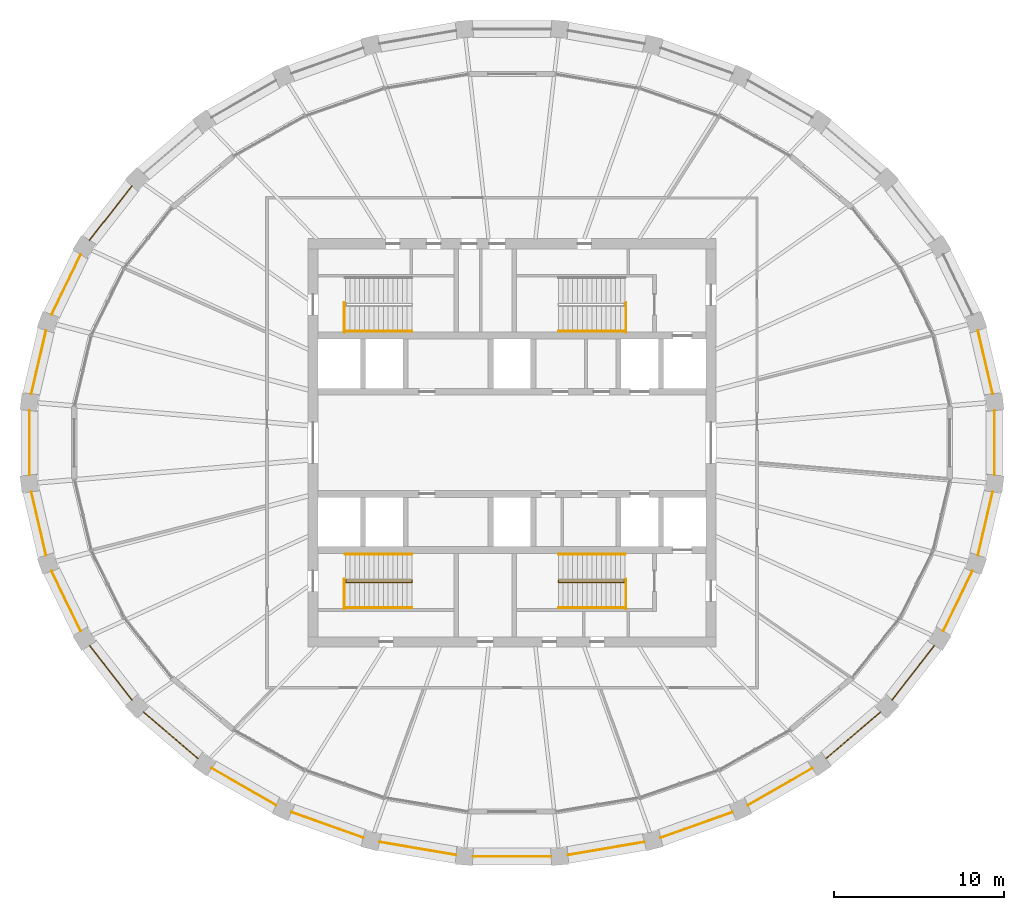
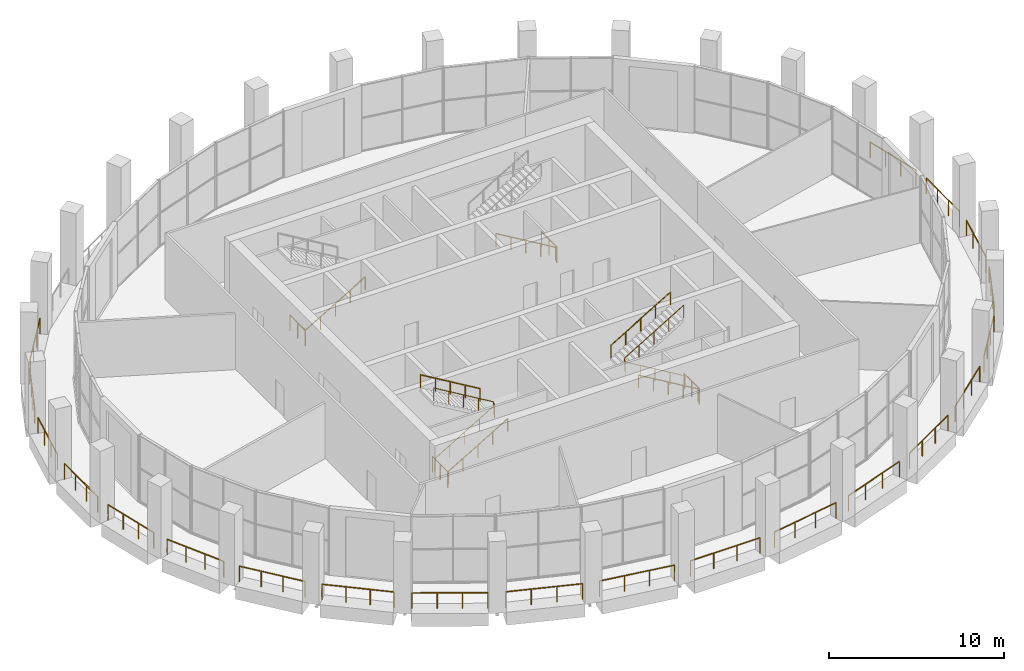
# One storey, part 14 of 15: 33 railings.
"""IFC4 building model written with IfcOpenShell, lengths in metres."""

from ifc_helpers import new_model, si_unit, direction, frame, origin, origin_2d, place, context, subcontext, project, spatial, circle, extrude, material, type_object, element, save


model = new_model("IFC4")

# Units and contexts
model_context = context("Model", 3, precision=1e-05, world=origin(), true_north=direction((0.0, 1.0)))
body_context = subcontext(model_context, "Body", "Model", "MODEL_VIEW")
ifc_project = project(units=[si_unit("LENGTHUNIT", "METRE"), si_unit("AREAUNIT", "SQUARE_METRE"), si_unit("VOLUMEUNIT", "CUBIC_METRE"), si_unit("PLANEANGLEUNIT", "RADIAN"), si_unit("MASSUNIT", "GRAM", prefix="KILO")], contexts=[model_context])

# Site, building, storey
site_placement = place(None, origin())
site = spatial("IfcSite", under=ifc_project, at=site_placement, CompositionType="ELEMENT")
building_placement = place(site_placement, origin())
building = spatial("IfcBuilding", under=site, at=building_placement, Name="Halqa Exchange Tower", CompositionType="ELEMENT")
storey_placement = place(building_placement, frame((0.0, 0.0, 338.300048828125)))
storey = spatial("IfcBuildingStorey", under=building, at=storey_placement, Name="L79", CompositionType="ELEMENT", Elevation=338.300048828125)

# Railings
ifc_material = material(Name="Stainless steel", Category="steel")
railing_type_1 = type_object("IfcRailingType", Name="Guard 1100 stainless steel", PredefinedType="GUARDRAIL", material=ifc_material)
railing_1_placement = place(storey_placement, frame((28.249755859375, 2.881591796875, 0.0)))
element("IfcRailing", 1, at=railing_1_placement, inside=storey, type_object=railing_type_1, Name="Loggia guard 1", PredefinedType="GUARDRAIL", context=body_context, shape_type="SweptSolid", body=[
    extrude(circle(Radius=0.02392578125, at=origin_2d()), frame((0.0, 0.0, 1.076171875), z_axis=(-0.226100478953, 0.97410398491, 0.0), x_axis=(-0.97410398491, -0.226100478953, 0.0)), (0.0, 0.0, 1.0), 3.8212890625),
    extrude(circle(Radius=0.02099609375, at=origin_2d()), origin(), (0.0, 0.0, 1.0), 1.052001953125),
    extrude(circle(Radius=0.02099609375, at=origin_2d()), frame((-0.2880859375, 1.24072265625, 0.0)), (0.0, 0.0, 1.0), 1.052001953125),
    extrude(circle(Radius=0.02099609375, at=origin_2d()), frame((-0.575927734375, 2.481689453125, 0.0)), (0.0, 0.0, 1.0), 1.052001953125),
    extrude(circle(Radius=0.02099609375, at=origin_2d()), frame((-0.864013671875, 3.722412109375, 0.0)), (0.0, 0.0, 1.0), 1.052001953125),
])
railing_2_placement = place(storey_placement, frame((-22.338134765625, 15.10302734375, 0.0)))
element("IfcRailing", 2, at=railing_2_placement, inside=storey, type_object=railing_type_1, Name="Loggia guard 13", PredefinedType="GUARDRAIL", context=body_context, shape_type="SweptSolid", body=[
    extrude(circle(Radius=0.02392578125, at=origin_2d()), frame((0.0, 0.0, 1.076171875), z_axis=(-0.614821078368, -0.788666622594, 0.0), x_axis=(0.788666622594, -0.614821078368, 0.0)), (0.0, 0.0, 1.0), 4.048828125),
    extrude(circle(Radius=0.02099609375, at=origin_2d()), origin(), (0.0, 0.0, 1.0), 1.052001953125),
    extrude(circle(Radius=0.02099609375, at=origin_2d()), frame((-0.829833984375, -1.064453125, 0.0)), (0.0, 0.0, 1.0), 1.052001953125),
    extrude(circle(Radius=0.02099609375, at=origin_2d()), frame((-1.659423828125, -2.128662109375, 0.0)), (0.0, 0.0, 1.0), 1.052001953125),
    extrude(circle(Radius=0.02099609375, at=origin_2d()), frame((-2.4892578125, -3.193115234375, 0.0)), (0.0, 0.0, 1.0), 1.052001953125),
])
railing_3_placement = place(storey_placement, frame((-25.352294921875, 11.0654296875, 0.0)))
element("IfcRailing", 3, at=railing_3_placement, inside=storey, type_object=railing_type_1, Name="Loggia guard 14", PredefinedType="GUARDRAIL", context=body_context, shape_type="SweptSolid", body=[
    extrude(circle(Radius=0.02392578125, at=origin_2d()), frame((0.0, 0.0, 1.076171875), z_axis=(-0.435146748862, -0.900359543158, 0.0), x_axis=(0.900359543158, -0.435146748862, 0.0)), (0.0, 0.0, 1.0), 3.913818359375),
    extrude(circle(Radius=0.02099609375, at=origin_2d()), origin(), (0.0, 0.0, 1.0), 1.052001953125),
    extrude(circle(Radius=0.02099609375, at=origin_2d()), frame((-0.567626953125, -1.174560546875, 0.0)), (0.0, 0.0, 1.0), 1.052001953125),
    extrude(circle(Radius=0.02099609375, at=origin_2d()), frame((-1.135498046875, -2.349365234375, 0.0)), (0.0, 0.0, 1.0), 1.052001953125),
    extrude(circle(Radius=0.02099609375, at=origin_2d()), frame((-1.703125, -3.52392578125, 0.0)), (0.0, 0.0, 1.0), 1.052001953125),
])
railing_4_placement = place(storey_placement, frame((-27.3857421875, 6.60400390625, 0.0)))
element("IfcRailing", 4, at=railing_4_placement, inside=storey, type_object=railing_type_1, Name="Loggia guard 15", PredefinedType="GUARDRAIL", context=body_context, shape_type="SweptSolid", body=[
    extrude(circle(Radius=0.02392578125, at=origin_2d()), frame((0.0, 0.0, 1.076171875), z_axis=(-0.226100478953, -0.97410398491, 0.0), x_axis=(0.97410398491, -0.226100478953, 0.0)), (0.0, 0.0, 1.0), 3.8212890625),
    extrude(circle(Radius=0.02099609375, at=origin_2d()), origin(), (0.0, 0.0, 1.0), 1.052001953125),
    extrude(circle(Radius=0.02099609375, at=origin_2d()), frame((-0.2880859375, -1.24072265625, 0.0)), (0.0, 0.0, 1.0), 1.052001953125),
    extrude(circle(Radius=0.02099609375, at=origin_2d()), frame((-0.575927734375, -2.481689453125, 0.0)), (0.0, 0.0, 1.0), 1.052001953125),
    extrude(circle(Radius=0.02099609375, at=origin_2d()), frame((-0.864013671875, -3.722412109375, 0.0)), (0.0, 0.0, 1.0), 1.052001953125),
])
railing_5_placement = place(storey_placement, frame((-28.36279296875, 1.894287109375, 0.0)))
element("IfcRailing", 5, at=railing_5_placement, inside=storey, type_object=railing_type_1, Name="Loggia guard 16", PredefinedType="GUARDRAIL", context=body_context, shape_type="SweptSolid", body=[
    extrude(circle(Radius=0.02392578125, at=origin_2d()), frame((0.0, 0.0, 1.076171875), z_axis=(0.0, -1.0, 0.0), x_axis=(1.0, 0.0, 0.0)), (0.0, 0.0, 1.0), 3.78857421875),
    extrude(circle(Radius=0.02099609375, at=origin_2d()), origin(), (0.0, 0.0, 1.0), 1.052001953125),
    extrude(circle(Radius=0.02099609375, at=origin_2d()), frame((0.0, -1.262939453125, 0.0)), (0.0, 0.0, 1.0), 1.052001953125),
    extrude(circle(Radius=0.02099609375, at=origin_2d()), frame((0.0, -2.525634765625, 0.0)), (0.0, 0.0, 1.0), 1.052001953125),
    extrude(circle(Radius=0.02099609375, at=origin_2d()), frame((0.0, -3.78857421875, 0.0)), (0.0, 0.0, 1.0), 1.052001953125),
])
railing_6_placement = place(storey_placement, frame((-28.249755859375, -2.881591796875, 0.0)))
element("IfcRailing", 6, at=railing_6_placement, inside=storey, type_object=railing_type_1, Name="Loggia guard 17", PredefinedType="GUARDRAIL", context=body_context, shape_type="SweptSolid", body=[
    extrude(circle(Radius=0.02392578125, at=origin_2d()), frame((0.0, 0.0, 1.076171875), z_axis=(0.226100478953, -0.97410398491, 0.0), x_axis=(0.97410398491, 0.226100478953, 0.0)), (0.0, 0.0, 1.0), 3.8212890625),
    extrude(circle(Radius=0.02099609375, at=origin_2d()), origin(), (0.0, 0.0, 1.0), 1.052001953125),
    extrude(circle(Radius=0.02099609375, at=origin_2d()), frame((0.2880859375, -1.24072265625, 0.0)), (0.0, 0.0, 1.0), 1.052001953125),
    extrude(circle(Radius=0.02099609375, at=origin_2d()), frame((0.575927734375, -2.481689453125, 0.0)), (0.0, 0.0, 1.0), 1.052001953125),
    extrude(circle(Radius=0.02099609375, at=origin_2d()), frame((0.864013671875, -3.722412109375, 0.0)), (0.0, 0.0, 1.0), 1.052001953125),
])
railing_7_placement = place(storey_placement, frame((-27.055419921875, -7.54150390625, 0.0)))
element("IfcRailing", 7, at=railing_7_placement, inside=storey, type_object=railing_type_1, Name="Loggia guard 18", PredefinedType="GUARDRAIL", context=body_context, shape_type="SweptSolid", body=[
    extrude(circle(Radius=0.02392578125, at=origin_2d()), frame((0.0, 0.0, 1.076171875), z_axis=(0.435146748862, -0.900359543158, 0.0), x_axis=(0.900359543158, 0.435146748862, 0.0)), (0.0, 0.0, 1.0), 3.913818359375),
    extrude(circle(Radius=0.02099609375, at=origin_2d()), origin(), (0.0, 0.0, 1.0), 1.052001953125),
    extrude(circle(Radius=0.02099609375, at=origin_2d()), frame((0.567626953125, -1.174560546875, 0.0)), (0.0, 0.0, 1.0), 1.052001953125),
    extrude(circle(Radius=0.02099609375, at=origin_2d()), frame((1.135498046875, -2.349365234375, 0.0)), (0.0, 0.0, 1.0), 1.052001953125),
    extrude(circle(Radius=0.02099609375, at=origin_2d()), frame((1.703125, -3.52392578125, 0.0)), (0.0, 0.0, 1.0), 1.052001953125),
])
railing_8_placement = place(storey_placement, frame((-24.827392578125, -11.909912109375, 0.0)))
element("IfcRailing", 8, at=railing_8_placement, inside=storey, type_object=railing_type_1, Name="Loggia guard 19", PredefinedType="GUARDRAIL", context=body_context, shape_type="SweptSolid", body=[
    extrude(circle(Radius=0.02392578125, at=origin_2d()), frame((0.0, 0.0, 1.076171875), z_axis=(0.614821078368, -0.788666622594, 0.0), x_axis=(0.788666622594, 0.614821078368, 0.0)), (0.0, 0.0, 1.0), 4.048828125),
    extrude(circle(Radius=0.02099609375, at=origin_2d()), origin(), (0.0, 0.0, 1.0), 1.052001953125),
    extrude(circle(Radius=0.02099609375, at=origin_2d()), frame((0.829833984375, -1.064453125, 0.0)), (0.0, 0.0, 1.0), 1.052001953125),
    extrude(circle(Radius=0.02099609375, at=origin_2d()), frame((1.659423828125, -2.128662109375, 0.0)), (0.0, 0.0, 1.0), 1.052001953125),
    extrude(circle(Radius=0.02099609375, at=origin_2d()), frame((2.4892578125, -3.193115234375, 0.0)), (0.0, 0.0, 1.0), 1.052001953125),
])
railing_9_placement = place(storey_placement, frame((-21.651123046875, -15.82275390625, 0.0)))
element("IfcRailing", 9, at=railing_9_placement, inside=storey, type_object=railing_type_1, Name="Loggia guard 20", PredefinedType="GUARDRAIL", context=body_context, shape_type="SweptSolid", body=[
    extrude(circle(Radius=0.02392578125, at=origin_2d()), frame((0.0, 0.0, 1.076171875), z_axis=(0.75927300229, -0.650772239723, 0.0), x_axis=(0.650772239723, 0.75927300229, 0.0)), (0.0, 0.0, 1.0), 4.203125),
    extrude(circle(Radius=0.02099609375, at=origin_2d()), origin(), (0.0, 0.0, 1.0), 1.052001953125),
    extrude(circle(Radius=0.02099609375, at=origin_2d()), frame((1.063720703125, -0.911865234375, 0.0)), (0.0, 0.0, 1.0), 1.052001953125),
    extrude(circle(Radius=0.02099609375, at=origin_2d()), frame((2.127685546875, -1.823486328125, 0.0)), (0.0, 0.0, 1.0), 1.052001953125),
    extrude(circle(Radius=0.02099609375, at=origin_2d()), frame((3.19140625, -2.7353515625, 0.0)), (0.0, 0.0, 1.0), 1.052001953125),
])
railing_10_placement = place(storey_placement, frame((-17.646240234375, -19.132080078125, 0.0)))
element("IfcRailing", 10, at=railing_10_placement, inside=storey, type_object=railing_type_1, Name="Loggia guard 21", PredefinedType="GUARDRAIL", context=body_context, shape_type="SweptSolid", body=[
    extrude(circle(Radius=0.02392578125, at=origin_2d()), frame((0.0, 0.0, 1.076171875), z_axis=(0.867752650497, -0.496996315434, 0.0), x_axis=(0.496996315434, 0.867752650497, 0.0)), (0.0, 0.0, 1.0), 4.353271484375),
    extrude(circle(Radius=0.02099609375, at=origin_2d()), origin(), (0.0, 0.0, 1.0), 1.052001953125),
    extrude(circle(Radius=0.02099609375, at=origin_2d()), frame((1.25927734375, -0.72119140625, 0.0)), (0.0, 0.0, 1.0), 1.052001953125),
    extrude(circle(Radius=0.02099609375, at=origin_2d()), frame((2.518310546875, -1.4423828125, 0.0)), (0.0, 0.0, 1.0), 1.052001953125),
    extrude(circle(Radius=0.02099609375, at=origin_2d()), frame((3.777587890625, -2.16357421875, 0.0)), (0.0, 0.0, 1.0), 1.052001953125),
])
railing_11_placement = place(storey_placement, frame((-12.963623046875, -21.71142578125, 0.0)))
element("IfcRailing", 11, at=railing_11_placement, inside=storey, type_object=railing_type_1, Name="Loggia guard 22", PredefinedType="GUARDRAIL", context=body_context, shape_type="SweptSolid", body=[
    extrude(circle(Radius=0.02392578125, at=origin_2d()), frame((0.0, 0.0, 1.076171875), z_axis=(0.942364531835, -0.334587939321, 0.0), x_axis=(0.334587939321, 0.942364531835, 0.0)), (0.0, 0.0, 1.0), 4.477294921875),
    extrude(circle(Radius=0.02099609375, at=origin_2d()), origin(), (0.0, 0.0, 1.0), 1.052001953125),
    extrude(circle(Radius=0.02099609375, at=origin_2d()), frame((1.406494140625, -0.499267578125, 0.0)), (0.0, 0.0, 1.0), 1.052001953125),
    extrude(circle(Radius=0.02099609375, at=origin_2d()), frame((2.812744140625, -0.998779296875, 0.0)), (0.0, 0.0, 1.0), 1.052001953125),
    extrude(circle(Radius=0.02099609375, at=origin_2d()), frame((4.21923828125, -1.498046875, 0.0)), (0.0, 0.0, 1.0), 1.052001953125),
])
railing_12_placement = place(storey_placement, frame((-7.7802734375, -23.460693359375, 0.0)))
element("IfcRailing", 12, at=railing_12_placement, inside=storey, type_object=railing_type_1, Name="Loggia guard 23", PredefinedType="GUARDRAIL", context=body_context, shape_type="SweptSolid", body=[
    extrude(circle(Radius=0.02392578125, at=origin_2d()), frame((0.0, 0.0, 1.076171875), z_axis=(0.985768911013, -0.168106079843, 0.0), x_axis=(0.168106079843, 0.985768911013, 0.0)), (0.0, 0.0, 1.0), 4.558837890625),
    extrude(circle(Radius=0.02099609375, at=origin_2d()), origin(), (0.0, 0.0, 1.0), 1.052001953125),
    extrude(circle(Radius=0.02099609375, at=origin_2d()), frame((1.498046875, -0.25537109375, 0.0)), (0.0, 0.0, 1.0), 1.052001953125),
    extrude(circle(Radius=0.02099609375, at=origin_2d()), frame((2.995849609375, -0.510986328125, 0.0)), (0.0, 0.0, 1.0), 1.052001953125),
    extrude(circle(Radius=0.02099609375, at=origin_2d()), frame((4.493896484375, -0.766357421875, 0.0)), (0.0, 0.0, 1.0), 1.052001953125),
])
railing_13_placement = place(storey_placement, frame((-2.29345703125, -24.31103515625, 0.0)))
element("IfcRailing", 13, at=railing_13_placement, inside=storey, type_object=railing_type_1, Name="Loggia guard 24", PredefinedType="GUARDRAIL", context=body_context, shape_type="SweptSolid", body=[
    extrude(circle(Radius=0.02392578125, at=origin_2d()), frame((0.0, 0.0, 1.076171875), z_axis=(1.0, 0.0, 0.0), x_axis=(0.0, 1.0, 0.0)), (0.0, 0.0, 1.0), 4.5869140625),
    extrude(circle(Radius=0.02099609375, at=origin_2d()), origin(), (0.0, 0.0, 1.0), 1.052001953125),
    extrude(circle(Radius=0.02099609375, at=origin_2d()), frame((1.529052734375, 0.0, 0.0)), (0.0, 0.0, 1.0), 1.052001953125),
    extrude(circle(Radius=0.02099609375, at=origin_2d()), frame((3.057861328125, 0.0, 0.0)), (0.0, 0.0, 1.0), 1.052001953125),
    extrude(circle(Radius=0.02099609375, at=origin_2d()), frame((4.5869140625, 0.0, 0.0)), (0.0, 0.0, 1.0), 1.052001953125),
])
railing_14_placement = place(storey_placement, frame((3.286376953125, -24.22705078125, 0.0)))
element("IfcRailing", 14, at=railing_14_placement, inside=storey, type_object=railing_type_1, Name="Loggia guard 25", PredefinedType="GUARDRAIL", context=body_context, shape_type="SweptSolid", body=[
    extrude(circle(Radius=0.02392578125, at=origin_2d()), frame((0.0, 0.0, 1.076171875), z_axis=(0.985768911013, 0.168106079843, 0.0), x_axis=(-0.168106079843, 0.985768911013, 0.0)), (0.0, 0.0, 1.0), 4.558837890625),
    extrude(circle(Radius=0.02099609375, at=origin_2d()), origin(), (0.0, 0.0, 1.0), 1.052001953125),
    extrude(circle(Radius=0.02099609375, at=origin_2d()), frame((1.498046875, 0.25537109375, 0.0)), (0.0, 0.0, 1.0), 1.052001953125),
    extrude(circle(Radius=0.02099609375, at=origin_2d()), frame((2.995849609375, 0.510986328125, 0.0)), (0.0, 0.0, 1.0), 1.052001953125),
    extrude(circle(Radius=0.02099609375, at=origin_2d()), frame((4.493896484375, 0.766357421875, 0.0)), (0.0, 0.0, 1.0), 1.052001953125),
])
railing_15_placement = place(storey_placement, frame((8.744384765625, -23.20947265625, 0.0)))
element("IfcRailing", 15, at=railing_15_placement, inside=storey, type_object=railing_type_1, Name="Loggia guard 26", PredefinedType="GUARDRAIL", context=body_context, shape_type="SweptSolid", body=[
    extrude(circle(Radius=0.02392578125, at=origin_2d()), frame((0.0, 0.0, 1.076171875), z_axis=(0.942364531835, 0.334587939321, 0.0), x_axis=(-0.334587939321, 0.942364531835, 0.0)), (0.0, 0.0, 1.0), 4.477294921875),
    extrude(circle(Radius=0.02099609375, at=origin_2d()), origin(), (0.0, 0.0, 1.0), 1.052001953125),
    extrude(circle(Radius=0.02099609375, at=origin_2d()), frame((1.406494140625, 0.499267578125, 0.0)), (0.0, 0.0, 1.0), 1.052001953125),
    extrude(circle(Radius=0.02099609375, at=origin_2d()), frame((2.812744140625, 0.998779296875, 0.0)), (0.0, 0.0, 1.0), 1.052001953125),
    extrude(circle(Radius=0.02099609375, at=origin_2d()), frame((4.21923828125, 1.498046875, 0.0)), (0.0, 0.0, 1.0), 1.052001953125),
])
railing_16_placement = place(storey_placement, frame((13.86865234375, -21.295654296875, 0.0)))
element("IfcRailing", 16, at=railing_16_placement, inside=storey, type_object=railing_type_1, Name="Loggia guard 27", PredefinedType="GUARDRAIL", context=body_context, shape_type="SweptSolid", body=[
    extrude(circle(Radius=0.02392578125, at=origin_2d()), frame((0.0, 0.0, 1.076171875), z_axis=(0.867752650497, 0.496996315434, 0.0), x_axis=(-0.496996315434, 0.867752650497, 0.0)), (0.0, 0.0, 1.0), 4.353271484375),
    extrude(circle(Radius=0.02099609375, at=origin_2d()), origin(), (0.0, 0.0, 1.0), 1.052001953125),
    extrude(circle(Radius=0.02099609375, at=origin_2d()), frame((1.25927734375, 0.72119140625, 0.0)), (0.0, 0.0, 1.0), 1.052001953125),
    extrude(circle(Radius=0.02099609375, at=origin_2d()), frame((2.518310546875, 1.4423828125, 0.0)), (0.0, 0.0, 1.0), 1.052001953125),
    extrude(circle(Radius=0.02099609375, at=origin_2d()), frame((3.777587890625, 2.16357421875, 0.0)), (0.0, 0.0, 1.0), 1.052001953125),
])
railing_17_placement = place(storey_placement, frame((18.459716796875, -18.55810546875, 0.0)))
element("IfcRailing", 17, at=railing_17_placement, inside=storey, type_object=railing_type_1, Name="Loggia guard 28", PredefinedType="GUARDRAIL", context=body_context, shape_type="SweptSolid", body=[
    extrude(circle(Radius=0.02392578125, at=origin_2d()), frame((0.0, 0.0, 1.076171875), z_axis=(0.75927300229, 0.650772239723, 0.0), x_axis=(-0.650772239723, 0.75927300229, 0.0)), (0.0, 0.0, 1.0), 4.203125),
    extrude(circle(Radius=0.02099609375, at=origin_2d()), origin(), (0.0, 0.0, 1.0), 1.052001953125),
    extrude(circle(Radius=0.02099609375, at=origin_2d()), frame((1.063720703125, 0.911865234375, 0.0)), (0.0, 0.0, 1.0), 1.052001953125),
    extrude(circle(Radius=0.02099609375, at=origin_2d()), frame((2.127685546875, 1.823486328125, 0.0)), (0.0, 0.0, 1.0), 1.052001953125),
    extrude(circle(Radius=0.02099609375, at=origin_2d()), frame((3.19140625, 2.7353515625, 0.0)), (0.0, 0.0, 1.0), 1.052001953125),
])
railing_18_placement = place(storey_placement, frame((22.338134765625, -15.10302734375, 0.0)))
element("IfcRailing", 18, at=railing_18_placement, inside=storey, type_object=railing_type_1, Name="Loggia guard 29", PredefinedType="GUARDRAIL", context=body_context, shape_type="SweptSolid", body=[
    extrude(circle(Radius=0.02392578125, at=origin_2d()), frame((0.0, 0.0, 1.076171875), z_axis=(0.614821078368, 0.788666622594, 0.0), x_axis=(-0.788666622594, 0.614821078368, 0.0)), (0.0, 0.0, 1.0), 4.048828125),
    extrude(circle(Radius=0.02099609375, at=origin_2d()), origin(), (0.0, 0.0, 1.0), 1.052001953125),
    extrude(circle(Radius=0.02099609375, at=origin_2d()), frame((0.829833984375, 1.064453125, 0.0)), (0.0, 0.0, 1.0), 1.052001953125),
    extrude(circle(Radius=0.02099609375, at=origin_2d()), frame((1.659423828125, 2.128662109375, 0.0)), (0.0, 0.0, 1.0), 1.052001953125),
    extrude(circle(Radius=0.02099609375, at=origin_2d()), frame((2.4892578125, 3.193115234375, 0.0)), (0.0, 0.0, 1.0), 1.052001953125),
])
railing_19_placement = place(storey_placement, frame((25.352294921875, -11.0654296875, 0.0)))
element("IfcRailing", 19, at=railing_19_placement, inside=storey, type_object=railing_type_1, Name="Loggia guard 30", PredefinedType="GUARDRAIL", context=body_context, shape_type="SweptSolid", body=[
    extrude(circle(Radius=0.02392578125, at=origin_2d()), frame((0.0, 0.0, 1.076171875), z_axis=(0.435146748862, 0.900359543158, 0.0), x_axis=(-0.900359543158, 0.435146748862, 0.0)), (0.0, 0.0, 1.0), 3.913818359375),
    extrude(circle(Radius=0.02099609375, at=origin_2d()), origin(), (0.0, 0.0, 1.0), 1.052001953125),
    extrude(circle(Radius=0.02099609375, at=origin_2d()), frame((0.567626953125, 1.174560546875, 0.0)), (0.0, 0.0, 1.0), 1.052001953125),
    extrude(circle(Radius=0.02099609375, at=origin_2d()), frame((1.135498046875, 2.349365234375, 0.0)), (0.0, 0.0, 1.0), 1.052001953125),
    extrude(circle(Radius=0.02099609375, at=origin_2d()), frame((1.703125, 3.52392578125, 0.0)), (0.0, 0.0, 1.0), 1.052001953125),
])
railing_20_placement = place(storey_placement, frame((27.3857421875, -6.60400390625, 0.0)))
element("IfcRailing", 20, at=railing_20_placement, inside=storey, type_object=railing_type_1, Name="Loggia guard 31", PredefinedType="GUARDRAIL", context=body_context, shape_type="SweptSolid", body=[
    extrude(circle(Radius=0.02392578125, at=origin_2d()), frame((0.0, 0.0, 1.076171875), z_axis=(0.226100478953, 0.97410398491, 0.0), x_axis=(-0.97410398491, 0.226100478953, 0.0)), (0.0, 0.0, 1.0), 3.8212890625),
    extrude(circle(Radius=0.02099609375, at=origin_2d()), origin(), (0.0, 0.0, 1.0), 1.052001953125),
    extrude(circle(Radius=0.02099609375, at=origin_2d()), frame((0.2880859375, 1.24072265625, 0.0)), (0.0, 0.0, 1.0), 1.052001953125),
    extrude(circle(Radius=0.02099609375, at=origin_2d()), frame((0.575927734375, 2.481689453125, 0.0)), (0.0, 0.0, 1.0), 1.052001953125),
    extrude(circle(Radius=0.02099609375, at=origin_2d()), frame((0.864013671875, 3.722412109375, 0.0)), (0.0, 0.0, 1.0), 1.052001953125),
])
railing_21_placement = place(storey_placement, frame((28.36279296875, -1.894287109375, 0.0)))
element("IfcRailing", 21, at=railing_21_placement, inside=storey, type_object=railing_type_1, Name="Loggia guard 32", PredefinedType="GUARDRAIL", context=body_context, shape_type="SweptSolid", body=[
    extrude(circle(Radius=0.02392578125, at=origin_2d()), frame((0.0, 0.0, 1.076171875), z_axis=(0.0, 1.0, 0.0), x_axis=(-1.0, 0.0, 0.0)), (0.0, 0.0, 1.0), 3.78857421875),
    extrude(circle(Radius=0.02099609375, at=origin_2d()), origin(), (0.0, 0.0, 1.0), 1.052001953125),
    extrude(circle(Radius=0.02099609375, at=origin_2d()), frame((0.0, 1.262939453125, 0.0)), (0.0, 0.0, 1.0), 1.052001953125),
    extrude(circle(Radius=0.02099609375, at=origin_2d()), frame((0.0, 2.525634765625, 0.0)), (0.0, 0.0, 1.0), 1.052001953125),
    extrude(circle(Radius=0.02099609375, at=origin_2d()), frame((0.0, 3.78857421875, 0.0)), (0.0, 0.0, 1.0), 1.052001953125),
])
railing_type_2 = type_object("IfcRailingType", Name="Stair handrail 900", PredefinedType="HANDRAIL", material=ifc_material)
railing_22_placement = place(storey_placement, frame((-9.800048828125, 6.550048828125, 0.166748046875)))
element("IfcRailing", 22, at=railing_22_placement, inside=storey, type_object=railing_type_2, Name="Handrail ST1.2", PredefinedType="HANDRAIL", context=body_context, shape_type="SweptSolid", body=[
    extrude(circle(Radius=0.02392578125, at=origin_2d()), frame((0.0, 0.0, 0.8759765625), z_axis=(0.859310244771, 0.0, 0.511454693235), x_axis=(0.0, 1.0, 0.0)), (0.0, 0.0, 1.0), 4.56201171875),
    extrude(circle(Radius=0.02099609375, at=origin_2d()), origin(), (0.0, 0.0, 1.0), 0.851806640625),
    extrude(circle(Radius=0.02099609375, at=origin_2d()), frame((0.97998046875, 0.0, 0.583251953125)), (0.0, 0.0, 1.0), 0.851806640625),
    extrude(circle(Radius=0.02099609375, at=origin_2d()), frame((1.9599609375, 0.0, 1.16650390625)), (0.0, 0.0, 1.0), 0.851806640625),
    extrude(circle(Radius=0.02099609375, at=origin_2d()), frame((2.940185546875, 0.0, 1.75)), (0.0, 0.0, 1.0), 0.851806640625),
    extrude(circle(Radius=0.02099609375, at=origin_2d()), frame((3.920166015625, 0.0, 2.333251953125)), (0.0, 0.0, 1.0), 0.851806640625),
])
railing_23_placement = place(storey_placement, frame((6.64990234375, 6.550048828125, 0.166748046875)))
element("IfcRailing", 23, at=railing_23_placement, inside=storey, type_object=railing_type_2, Name="Handrail ST2.2", PredefinedType="HANDRAIL", context=body_context, shape_type="SweptSolid", body=[
    extrude(circle(Radius=0.02392578125, at=origin_2d()), frame((0.0, 0.0, 0.8759765625), z_axis=(-0.859296244711, 0.0, 0.511478214419), x_axis=(0.0, -1.0, 0.0)), (0.0, 0.0, 1.0), 4.561767578125),
    extrude(circle(Radius=0.02099609375, at=origin_2d()), origin(), (0.0, 0.0, 1.0), 0.851806640625),
    extrude(circle(Radius=0.02099609375, at=origin_2d()), frame((-0.97998046875, 0.0, 0.583251953125)), (0.0, 0.0, 1.0), 0.851806640625),
    extrude(circle(Radius=0.02099609375, at=origin_2d()), frame((-1.9599609375, 0.0, 1.16650390625)), (0.0, 0.0, 1.0), 0.851806640625),
    extrude(circle(Radius=0.02099609375, at=origin_2d()), frame((-2.93994140625, 0.0, 1.75)), (0.0, 0.0, 1.0), 0.851806640625),
    extrude(circle(Radius=0.02099609375, at=origin_2d()), frame((-3.919921875, 0.0, 2.333251953125)), (0.0, 0.0, 1.0), 0.851806640625),
])
railing_24_placement = place(storey_placement, frame((-9.800048828125, -8.18994140625, 0.166748046875)))
element("IfcRailing", 24, at=railing_24_placement, inside=storey, type_object=railing_type_2, Name="Handrail ST3.1", PredefinedType="HANDRAIL", context=body_context, shape_type="SweptSolid", body=[
    extrude(circle(Radius=0.02392578125, at=origin_2d()), frame((0.0, 0.0, 0.8759765625), z_axis=(0.859310244771, 0.0, 0.511454693235), x_axis=(0.0, 1.0, 0.0)), (0.0, 0.0, 1.0), 4.56201171875),
    extrude(circle(Radius=0.02392578125, at=origin_2d()), frame((3.920166015625, 0.0, 3.208984375), z_axis=(0.0, 0.614500226555, 0.788916644243), x_axis=(-1.0, 0.0, 0.0)), (0.0, 0.0, 1.0), 0.21142578125),
    extrude(circle(Radius=0.02392578125, at=origin_2d()), frame((3.920166015625, 0.1298828125, 3.3759765625), z_axis=(-0.859310244771, 0.0, 0.511454693235), x_axis=(0.0, -1.0, 0.0)), (0.0, 0.0, 1.0), 4.56201171875),
    extrude(circle(Radius=0.02099609375, at=origin_2d()), origin(), (0.0, 0.0, 1.0), 0.851806640625),
    extrude(circle(Radius=0.02099609375, at=origin_2d()), frame((0.97998046875, 0.0, 0.583251953125)), (0.0, 0.0, 1.0), 0.851806640625),
    extrude(circle(Radius=0.02099609375, at=origin_2d()), frame((1.9599609375, 0.0, 1.16650390625)), (0.0, 0.0, 1.0), 0.851806640625),
    extrude(circle(Radius=0.02099609375, at=origin_2d()), frame((2.940185546875, 0.0, 1.75)), (0.0, 0.0, 1.0), 0.851806640625),
    extrude(circle(Radius=0.02099609375, at=origin_2d()), frame((3.920166015625, 0.0, 2.333251953125)), (0.0, 0.0, 1.0), 0.851806640625),
    extrude(circle(Radius=0.02099609375, at=origin_2d()), frame((3.920166015625, 0.1298828125, 2.5)), (0.0, 0.0, 1.0), 0.851806640625),
    extrude(circle(Radius=0.02099609375, at=origin_2d()), frame((2.940185546875, 0.1298828125, 3.083251953125)), (0.0, 0.0, 1.0), 0.851806640625),
    extrude(circle(Radius=0.02099609375, at=origin_2d()), frame((1.9599609375, 0.1298828125, 3.66650390625)), (0.0, 0.0, 1.0), 0.851806640625),
    extrude(circle(Radius=0.02099609375, at=origin_2d()), frame((0.97998046875, 0.1298828125, 4.25)), (0.0, 0.0, 1.0), 0.851806640625),
    extrude(circle(Radius=0.02099609375, at=origin_2d()), frame((0.0, 0.1298828125, 4.833251953125)), (0.0, 0.0, 1.0), 0.851806640625),
])
railing_25_placement = place(storey_placement, frame((-9.800048828125, -9.699951171875, 0.166748046875)))
element("IfcRailing", 25, at=railing_25_placement, inside=storey, type_object=railing_type_2, Name="Handrail ST3.2", PredefinedType="HANDRAIL", context=body_context, shape_type="SweptSolid", body=[
    extrude(circle(Radius=0.02392578125, at=origin_2d()), frame((0.0, 0.0, 0.8759765625), z_axis=(0.859310244771, 0.0, 0.511454693235), x_axis=(0.0, 1.0, 0.0)), (0.0, 0.0, 1.0), 4.56201171875),
    extrude(circle(Radius=0.02099609375, at=origin_2d()), origin(), (0.0, 0.0, 1.0), 0.851806640625),
    extrude(circle(Radius=0.02099609375, at=origin_2d()), frame((0.97998046875, 0.0, 0.583251953125)), (0.0, 0.0, 1.0), 0.851806640625),
    extrude(circle(Radius=0.02099609375, at=origin_2d()), frame((1.9599609375, 0.0, 1.16650390625)), (0.0, 0.0, 1.0), 0.851806640625),
    extrude(circle(Radius=0.02099609375, at=origin_2d()), frame((2.940185546875, 0.0, 1.75)), (0.0, 0.0, 1.0), 0.851806640625),
    extrude(circle(Radius=0.02099609375, at=origin_2d()), frame((3.920166015625, 0.0, 2.333251953125)), (0.0, 0.0, 1.0), 0.851806640625),
])
railing_26_placement = place(storey_placement, frame((-5.8798828125, -6.550048828125, 2.666748046875)))
element("IfcRailing", 26, at=railing_26_placement, inside=storey, type_object=railing_type_2, Name="Handrail ST3.3", PredefinedType="HANDRAIL", context=body_context, shape_type="SweptSolid", body=[
    extrude(circle(Radius=0.02392578125, at=origin_2d()), frame((0.0, 0.0, 0.8759765625), z_axis=(-0.859310244771, 0.0, 0.511454693235), x_axis=(0.0, -1.0, 0.0)), (0.0, 0.0, 1.0), 4.56201171875),
    extrude(circle(Radius=0.02099609375, at=origin_2d()), origin(), (0.0, 0.0, 1.0), 0.851806640625),
    extrude(circle(Radius=0.02099609375, at=origin_2d()), frame((-0.97998046875, 0.0, 0.583251953125)), (0.0, 0.0, 1.0), 0.851806640625),
    extrude(circle(Radius=0.02099609375, at=origin_2d()), frame((-1.9599609375, 0.0, 1.16650390625)), (0.0, 0.0, 1.0), 0.851806640625),
    extrude(circle(Radius=0.02099609375, at=origin_2d()), frame((-2.940185546875, 0.0, 1.75)), (0.0, 0.0, 1.0), 0.851806640625),
    extrude(circle(Radius=0.02099609375, at=origin_2d()), frame((-3.920166015625, 0.0, 2.333251953125)), (0.0, 0.0, 1.0), 0.851806640625),
])
railing_27_placement = place(storey_placement, frame((6.64990234375, -8.18994140625, 0.166748046875)))
element("IfcRailing", 27, at=railing_27_placement, inside=storey, type_object=railing_type_2, Name="Handrail ST4.1", PredefinedType="HANDRAIL", context=body_context, shape_type="SweptSolid", body=[
    extrude(circle(Radius=0.02392578125, at=origin_2d()), frame((0.0, 0.0, 0.8759765625), z_axis=(-0.859296244711, 0.0, 0.511478214419), x_axis=(0.0, -1.0, 0.0)), (0.0, 0.0, 1.0), 4.561767578125),
    extrude(circle(Radius=0.02392578125, at=origin_2d()), frame((-3.919921875, 0.0, 3.208984375), z_axis=(0.0, 0.614500226555, 0.788916644243), x_axis=(-1.0, 0.0, 0.0)), (0.0, 0.0, 1.0), 0.21142578125),
    extrude(circle(Radius=0.02392578125, at=origin_2d()), frame((-3.919921875, 0.1298828125, 3.3759765625), z_axis=(0.859296244711, 0.0, 0.511478214419), x_axis=(0.0, 1.0, 0.0)), (0.0, 0.0, 1.0), 4.561767578125),
    extrude(circle(Radius=0.02099609375, at=origin_2d()), origin(), (0.0, 0.0, 1.0), 0.851806640625),
    extrude(circle(Radius=0.02099609375, at=origin_2d()), frame((-0.97998046875, 0.0, 0.583251953125)), (0.0, 0.0, 1.0), 0.851806640625),
    extrude(circle(Radius=0.02099609375, at=origin_2d()), frame((-1.9599609375, 0.0, 1.16650390625)), (0.0, 0.0, 1.0), 0.851806640625),
    extrude(circle(Radius=0.02099609375, at=origin_2d()), frame((-2.93994140625, 0.0, 1.75)), (0.0, 0.0, 1.0), 0.851806640625),
    extrude(circle(Radius=0.02099609375, at=origin_2d()), frame((-3.919921875, 0.0, 2.333251953125)), (0.0, 0.0, 1.0), 0.851806640625),
    extrude(circle(Radius=0.02099609375, at=origin_2d()), frame((-3.919921875, 0.1298828125, 2.5)), (0.0, 0.0, 1.0), 0.851806640625),
    extrude(circle(Radius=0.02099609375, at=origin_2d()), frame((-2.93994140625, 0.1298828125, 3.083251953125)), (0.0, 0.0, 1.0), 0.851806640625),
    extrude(circle(Radius=0.02099609375, at=origin_2d()), frame((-1.9599609375, 0.1298828125, 3.66650390625)), (0.0, 0.0, 1.0), 0.851806640625),
    extrude(circle(Radius=0.02099609375, at=origin_2d()), frame((-0.97998046875, 0.1298828125, 4.25)), (0.0, 0.0, 1.0), 0.851806640625),
    extrude(circle(Radius=0.02099609375, at=origin_2d()), frame((0.0, 0.1298828125, 4.833251953125)), (0.0, 0.0, 1.0), 0.851806640625),
])
railing_28_placement = place(storey_placement, frame((6.64990234375, -9.699951171875, 0.166748046875)))
element("IfcRailing", 28, at=railing_28_placement, inside=storey, type_object=railing_type_2, Name="Handrail ST4.2", PredefinedType="HANDRAIL", context=body_context, shape_type="SweptSolid", body=[
    extrude(circle(Radius=0.02392578125, at=origin_2d()), frame((0.0, 0.0, 0.8759765625), z_axis=(-0.859296244711, 0.0, 0.511478214419), x_axis=(0.0, -1.0, 0.0)), (0.0, 0.0, 1.0), 4.561767578125),
    extrude(circle(Radius=0.02099609375, at=origin_2d()), origin(), (0.0, 0.0, 1.0), 0.851806640625),
    extrude(circle(Radius=0.02099609375, at=origin_2d()), frame((-0.97998046875, 0.0, 0.583251953125)), (0.0, 0.0, 1.0), 0.851806640625),
    extrude(circle(Radius=0.02099609375, at=origin_2d()), frame((-1.9599609375, 0.0, 1.16650390625)), (0.0, 0.0, 1.0), 0.851806640625),
    extrude(circle(Radius=0.02099609375, at=origin_2d()), frame((-2.93994140625, 0.0, 1.75)), (0.0, 0.0, 1.0), 0.851806640625),
    extrude(circle(Radius=0.02099609375, at=origin_2d()), frame((-3.919921875, 0.0, 2.333251953125)), (0.0, 0.0, 1.0), 0.851806640625),
])
railing_29_placement = place(storey_placement, frame((2.72998046875, -6.550048828125, 2.666748046875)))
element("IfcRailing", 29, at=railing_29_placement, inside=storey, type_object=railing_type_2, Name="Handrail ST4.3", PredefinedType="HANDRAIL", context=body_context, shape_type="SweptSolid", body=[
    extrude(circle(Radius=0.02392578125, at=origin_2d()), frame((0.0, 0.0, 0.8759765625), z_axis=(0.859296244711, 0.0, 0.511478214419), x_axis=(0.0, 1.0, 0.0)), (0.0, 0.0, 1.0), 4.561767578125),
    extrude(circle(Radius=0.02099609375, at=origin_2d()), origin(), (0.0, 0.0, 1.0), 0.851806640625),
    extrude(circle(Radius=0.02099609375, at=origin_2d()), frame((0.97998046875, 0.0, 0.583251953125)), (0.0, 0.0, 1.0), 0.851806640625),
    extrude(circle(Radius=0.02099609375, at=origin_2d()), frame((1.9599609375, 0.0, 1.16650390625)), (0.0, 0.0, 1.0), 0.851806640625),
    extrude(circle(Radius=0.02099609375, at=origin_2d()), frame((2.93994140625, 0.0, 1.75)), (0.0, 0.0, 1.0), 0.851806640625),
    extrude(circle(Radius=0.02099609375, at=origin_2d()), frame((3.919921875, 0.0, 2.333251953125)), (0.0, 0.0, 1.0), 0.851806640625),
])
railing_type_3 = type_object("IfcRailingType", Name="Stair well guard 1100", PredefinedType="GUARDRAIL", material=ifc_material)
for number, where, name in (
    (30, (-9.85009765625, 6.5, 0.0), "Guard ST1 well"),
    (31, (6.699951171875, 6.5, 0.0), "Guard ST2 well"),
    (32, (-9.85009765625, -9.75, 0.0), "Guard ST3 well"),
    (33, (6.699951171875, -9.75, 0.0), "Guard ST4 well"),
):
    element("IfcRailing", number, at=place(storey_placement, frame(where)), inside=storey, type_object=railing_type_3, Name=name, PredefinedType="GUARDRAIL", context=body_context, shape_type="SweptSolid", body=[
        extrude(circle(Radius=0.02392578125, at=origin_2d()), frame((0.0, 0.0, 1.076171875), z_axis=(0.0, 1.0, 0.0), x_axis=(-1.0, 0.0, 0.0)), (0.0, 0.0, 1.0), 1.75),
        extrude(circle(Radius=0.02099609375, at=origin_2d()), origin(), (0.0, 0.0, 1.0), 1.052001953125),
        extrude(circle(Radius=0.02099609375, at=origin_2d()), frame((0.0, 0.875, 0.0)), (0.0, 0.0, 1.0), 1.052001953125),
        extrude(circle(Radius=0.02099609375, at=origin_2d()), frame((0.0, 1.75, 0.0)), (0.0, 0.0, 1.0), 1.052001953125),
    ])

save(model, "model.ifc")
